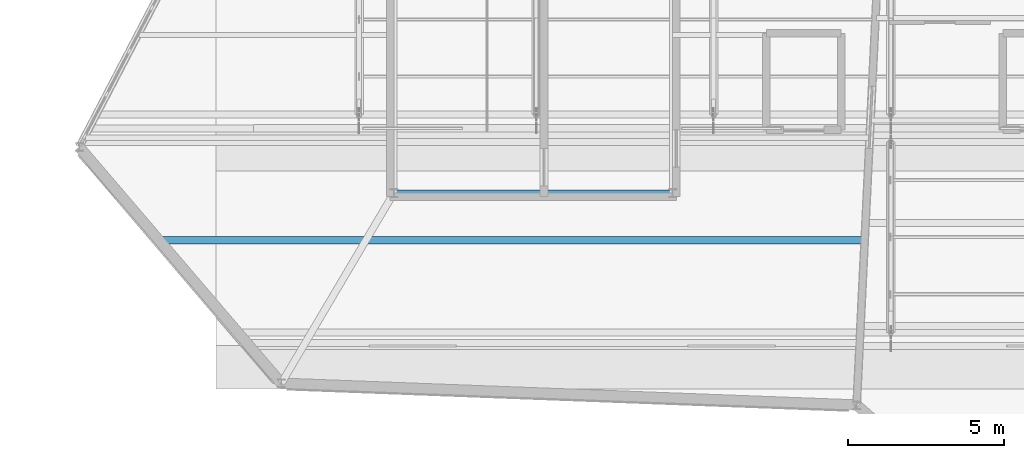
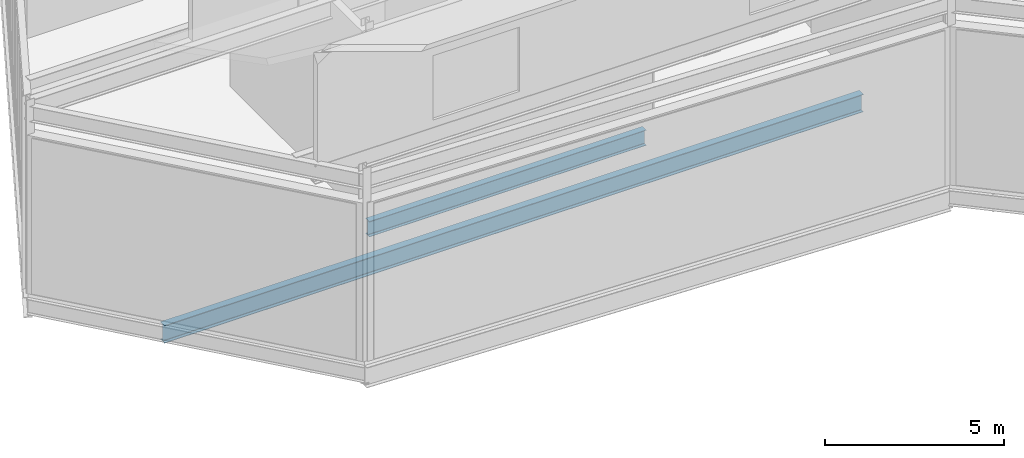
# One storey, part 7 of 55: 2 beams.
"""IFC4 building model written with IfcOpenShell, lengths in metres."""

from ifc_helpers import new_model, si_unit, direction, frame, origin, origin_2d, place, context, subcontext, project, spatial, i_section, extrude, material, material_profile, profile_set, type_object, element, save


model = new_model("IFC4")

# Units and contexts
model_context = context("Model", 3, precision=1e-05, world=origin(), true_north=direction((0.0, 1.0)))
body_context = subcontext(model_context, "Body", "Model", "MODEL_VIEW")
ifc_project = project(units=[si_unit("LENGTHUNIT", "METRE"), si_unit("AREAUNIT", "SQUARE_METRE"), si_unit("VOLUMEUNIT", "CUBIC_METRE"), si_unit("PLANEANGLEUNIT", "RADIAN"), si_unit("MASSUNIT", "GRAM", prefix="KILO")], contexts=[model_context])

# Site, building, storey
site_placement = place(None, origin())
site = spatial("IfcSite", under=ifc_project, at=site_placement, CompositionType="ELEMENT")
building_placement = place(site_placement, origin())
building = spatial("IfcBuilding", under=site, at=building_placement, Name="Tameran Prism Museum", CompositionType="ELEMENT")
storey_placement = place(building_placement, frame((0.0, 0.0, 28.800048828125)))
storey = spatial("IfcBuildingStorey", under=building, at=storey_placement, Name="L05", CompositionType="ELEMENT", Elevation=28.800048828125)

# Beams
ifc_material_1 = material(Name="Steel Grade 300PLUS (300 MPa)", Category="steel")
ifc_material_profile_1 = material_profile(ifc_material_1, i_section(OverallWidth=0.208984375, OverallDepth=0.528076171875, WebThickness=0.009521484375, FlangeThickness=0.01318359375, FilletRadius=0.013916015625, at=origin_2d()))
ifc_profile_set_1 = profile_set([ifc_material_profile_1])
beam_type_1 = type_object("IfcBeamType", Name="BM-SP530B", PredefinedType="SPANDREL", material=ifc_profile_set_1)
beam_1_placement = place(storey_placement, frame((103.02001953125, 77.419921875, -0.504150390625), z_axis=(1.0, 0.0, 0.0), x_axis=(0.0, 1.0, 0.0)))
element("IfcBeam", 1, at=beam_1_placement, inside=storey, type_object=beam_type_1, Name="Core Ring Beam CTB-1271", PredefinedType="SPANDREL", context=body_context, shape_type="SweptSolid", body=[
    extrude(i_section(OverallWidth=0.208984375, OverallDepth=0.528076171875, WebThickness=0.009521484375, FlangeThickness=0.01318359375, FilletRadius=0.013916015625, at=origin_2d()), origin(), (0.0, 0.0, 1.0), 8.9599609375),
])
ifc_material_2 = material(Name="Steel Grade 300PLUS (300 MPa)", Category="steel")
ifc_material_profile_2 = material_profile(ifc_material_2, i_section(OverallWidth=0.22802734375, OverallDepth=0.60693359375, WebThickness=0.01123046875, FlangeThickness=0.017333984375, FilletRadius=0.013916015625, at=origin_2d()))
ifc_profile_set_2 = profile_set([ifc_material_profile_2])
beam_type_2 = type_object("IfcBeamType", Name="BM-UB610B", PredefinedType="BEAM", material=ifc_profile_set_2)
beam_2_placement = place(storey_placement, frame((95.51806640625, 75.89990234375, -0.54345703125), z_axis=(1.0, 0.0, 0.0), x_axis=(0.0, 1.0, 0.0)))
element("IfcBeam", 2, at=beam_2_placement, inside=storey, type_object=beam_type_2, Name="Floor Beam BM-1284", PredefinedType="BEAM", context=body_context, shape_type="SweptSolid", body=[
    extrude(i_section(OverallWidth=0.22802734375, OverallDepth=0.60693359375, WebThickness=0.01123046875, FlangeThickness=0.017333984375, FilletRadius=0.013916015625, at=origin_2d()), origin(), (0.0, 0.0, 1.0), 22.599853515625),
])

save(model, "model.ifc")
